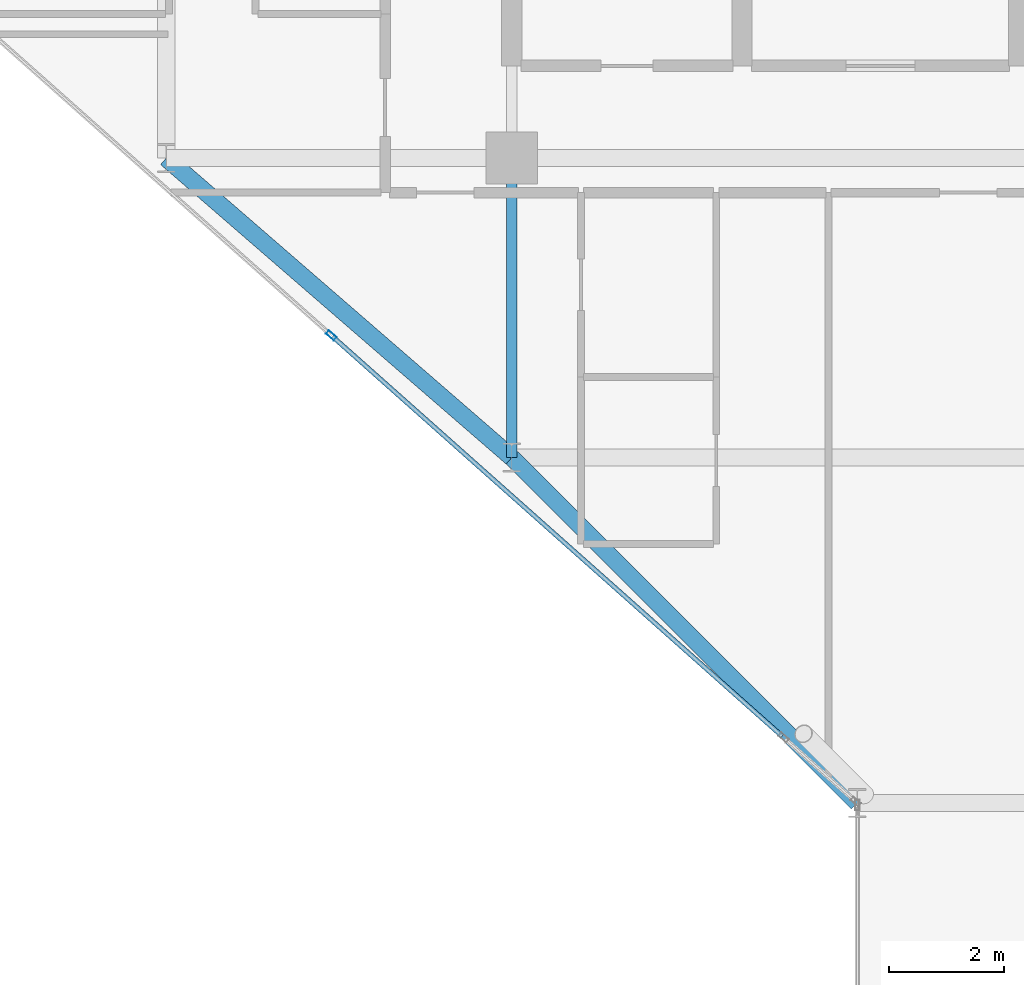
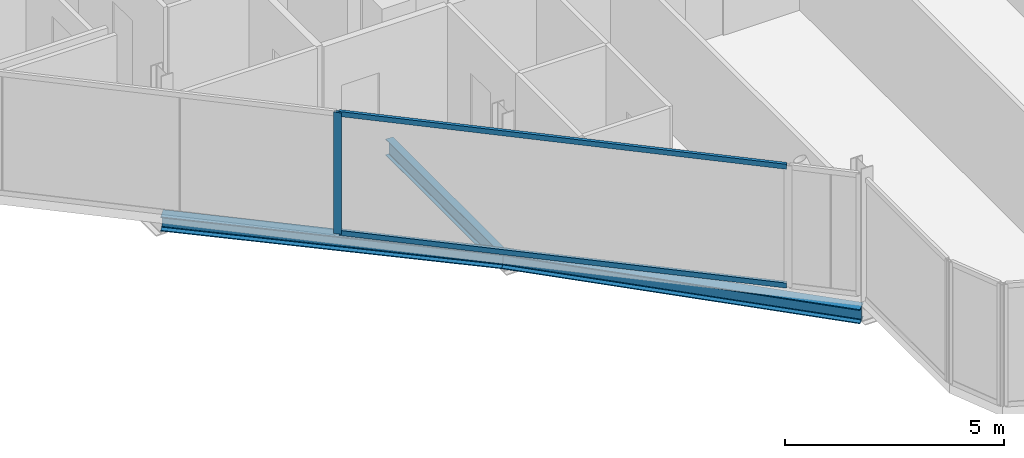
# One storey, part 4 of 31: 3 beams, 3 members, 1 element without a shape of its own.
"""IFC4 building model written with IfcOpenShell, lengths in metres."""

from ifc_helpers import new_model, si_unit, direction, frame, origin, origin_2d, place, context, subcontext, project, spatial, hollow_rectangle, i_section, extrude, material, layer, layer_set, material_profile, profile_set, type_object, element, aggregate, save


model = new_model("IFC4")

# Units and contexts
model_context = context("Model", 3, precision=1e-05, world=origin(), true_north=direction((0.0, 1.0)))
body_context = subcontext(model_context, "Body", "Model", "MODEL_VIEW")
ifc_project = project(units=[si_unit("LENGTHUNIT", "METRE"), si_unit("AREAUNIT", "SQUARE_METRE"), si_unit("VOLUMEUNIT", "CUBIC_METRE"), si_unit("PLANEANGLEUNIT", "RADIAN"), si_unit("MASSUNIT", "GRAM", prefix="KILO")], contexts=[model_context])

# Site, building, storey
site_placement = place(None, origin())
site = spatial("IfcSite", under=ifc_project, at=site_placement, CompositionType="ELEMENT")
building_placement = place(site_placement, origin())
building = spatial("IfcBuilding", under=site, at=building_placement, Name="Keshet Zoharim Tower", CompositionType="ELEMENT")
storey_placement = place(building_placement, frame((0.0, 0.0, 144.60009765625)))
storey = spatial("IfcBuildingStorey", under=building, at=storey_placement, Name="L35", CompositionType="ELEMENT", Elevation=144.60009765625)

# Beams
ifc_material_1 = material(Name="Steel S355", Category="steel")
ifc_material_profile_1 = material_profile(ifc_material_1, i_section(OverallWidth=0.18994140625, OverallDepth=0.449951171875, WebThickness=0.009521484375, FlangeThickness=0.0146484375, FilletRadius=0.02099609375, at=origin_2d()), Name="IPE450")
ifc_profile_set_1 = profile_set([ifc_material_profile_1], Name="Steel S355")
beam_type_1 = type_object("IfcBeamType", Name="BM-PRI-IP450", PredefinedType="BEAM", material=ifc_profile_set_1)
beam_1_placement = place(storey_placement, frame((15.0, 12.699951171875, -0.5400390625), z_axis=(0.0, 1.0, 0.0), x_axis=(-1.0, 0.0, 0.0)))
element("IfcBeam", 1, at=beam_1_placement, inside=storey, type_object=beam_type_1, Name="L35 Primary Girder Y-002", PredefinedType="BEAM", context=body_context, shape_type="SweptSolid", body=[
    extrude(i_section(OverallWidth=0.18994140625, OverallDepth=0.449951171875, WebThickness=0.009521484375, FlangeThickness=0.0146484375, FilletRadius=0.02099609375, at=origin_2d()), origin(), (0.0, 0.0, 1.0), 5.199951171875),
])
ifc_material_profile_2 = material_profile(ifc_material_1, i_section(OverallWidth=0.300048828125, OverallDepth=0.39990234375, WebThickness=0.013427734375, FlangeThickness=0.02392578125, FilletRadius=0.027099609375, at=origin_2d()), Name="HEB400")
ifc_profile_set_2 = profile_set([ifc_material_profile_2], Name="Steel S355")
beam_type_2 = type_object("IfcBeamType", Name="BM-SPN-HB400", PredefinedType="SPANDREL", material=ifc_profile_set_2)
beam_2_placement = place(storey_placement, frame((21.0, 6.699951171875, -0.51513671875), z_axis=(-0.707106781187, 0.707106781187, 0.0), x_axis=(-0.707106781187, -0.707106781187, 0.0)))
element("IfcBeam", 2, at=beam_2_placement, inside=storey, type_object=beam_type_2, Name="L35 Perimeter Spandrel Beam 01", PredefinedType="SPANDREL", context=body_context, shape_type="SweptSolid", body=[
    extrude(i_section(OverallWidth=0.300048828125, OverallDepth=0.39990234375, WebThickness=0.013427734375, FlangeThickness=0.02392578125, FilletRadius=0.027099609375, at=origin_2d()), origin(), (0.0, 0.0, 1.0), 8.4853515625),
])
beam_3_placement = place(storey_placement, frame((9.0, 17.89990234375, -0.51513671875), z_axis=(0.755692126483, -0.654927026447, 0.0), x_axis=(0.654927026447, 0.755692126483, 0.0)))
element("IfcBeam", 3, at=beam_3_placement, inside=storey, type_object=beam_type_2, Name="L35 Perimeter Spandrel Beam 02", PredefinedType="SPANDREL", context=body_context, shape_type="SweptSolid", body=[
    extrude(i_section(OverallWidth=0.300048828125, OverallDepth=0.39990234375, WebThickness=0.013427734375, FlangeThickness=0.02392578125, FilletRadius=0.027099609375, at=origin_2d()), origin(), (0.0, 0.0, 1.0), 7.939697265625),
])

# Curtain wall, members
ifc_material_2 = material(Name="Aluminium 6063-T6", Category="aluminium")
ifc_layer = layer(ifc_material_2, 0.159912109375)
ifc_layer_set = layer_set([ifc_layer], Name="Aluminium 6063-T6")
curtain_wall_type = type_object("IfcCurtainWallType", Name="CW-SYS-03", PredefinedType="NOTDEFINED", material=ifc_layer_set)
curtain_wall_placement = place(storey_placement, origin())
curtain_wall = element("IfcCurtainWall", 4, at=curtain_wall_placement, inside=storey, type_object=curtain_wall_type, Name="L35 Unitised Curtain Wall 07 Part 2", PredefinedType="NOTDEFINED")
ifc_material_profile_3 = material_profile(ifc_material_2, hollow_rectangle(XDim=0.080078125, YDim=0.179931640625, WallThickness=0.00439453125, at=origin_2d()), Name="MUL-80x180")
ifc_profile_set_3 = profile_set([ifc_material_profile_3], Name="Aluminium 6063-T6")
member_type_1 = type_object("IfcMemberType", Name="CWM-M18", PredefinedType="MULLION", material=ifc_profile_set_3)
member_1_placement = place(storey_placement, frame((11.864990234375, 14.820068359375, 0.0), z_axis=(0.0, 0.0, 1.0), x_axis=(-0.664363542589, -0.747409582009, 0.0)))
member_1 = element("IfcMember", 5, at=member_1_placement, type_object=member_type_1, Name="CW-03 mullion 2", PredefinedType="MULLION", context=body_context, shape_type="SweptSolid", body=[
    extrude(hollow_rectangle(XDim=0.080078125, YDim=0.179931640625, WallThickness=0.00439453125, at=origin_2d()), origin(), (0.0, 0.0, 1.0), 3.385009765625),
])
ifc_material_profile_4 = material_profile(ifc_material_2, hollow_rectangle(XDim=0.080078125, YDim=0.139892578125, WallThickness=0.00390625, at=origin_2d()), Name="TRN-80x140")
ifc_profile_set_4 = profile_set([ifc_material_profile_4], Name="Aluminium 6063-T6")
member_type_2 = type_object("IfcMemberType", Name="CWT-T14", PredefinedType="USERDEFINED", material=ifc_profile_set_4)
member_2_placement = place(storey_placement, frame((19.69482421875, 7.860107421875, 0.034912109375), z_axis=(-0.747402868264, 0.664371095482, 0.0), x_axis=(-0.664371095482, -0.747402868264, 0.0)))
member_2 = element("IfcMember", 6, at=member_2_placement, type_object=member_type_2, Name="CW-03 transom 1.1", ObjectType="TRANSOM", PredefinedType="USERDEFINED", context=body_context, shape_type="SweptSolid", body=[
    extrude(hollow_rectangle(XDim=0.080078125, YDim=0.139892578125, WallThickness=0.00390625, at=origin_2d()), origin(), (0.0, 0.0, 1.0), 10.441162109375),
])
member_3_placement = place(storey_placement, frame((19.69482421875, 7.860107421875, 3.349853515625), z_axis=(-0.747402868264, 0.664371095482, 0.0), x_axis=(-0.664371095482, -0.747402868264, 0.0)))
member_3 = element("IfcMember", 7, at=member_3_placement, type_object=member_type_2, Name="CW-03 transom 1.2", ObjectType="TRANSOM", PredefinedType="USERDEFINED", context=body_context, shape_type="SweptSolid", body=[
    extrude(hollow_rectangle(XDim=0.080078125, YDim=0.139892578125, WallThickness=0.00390625, at=origin_2d()), origin(), (0.0, 0.0, 1.0), 10.441162109375),
])
aggregate(curtain_wall, [member_1, member_2, member_3])

save(model, "model.ifc")
